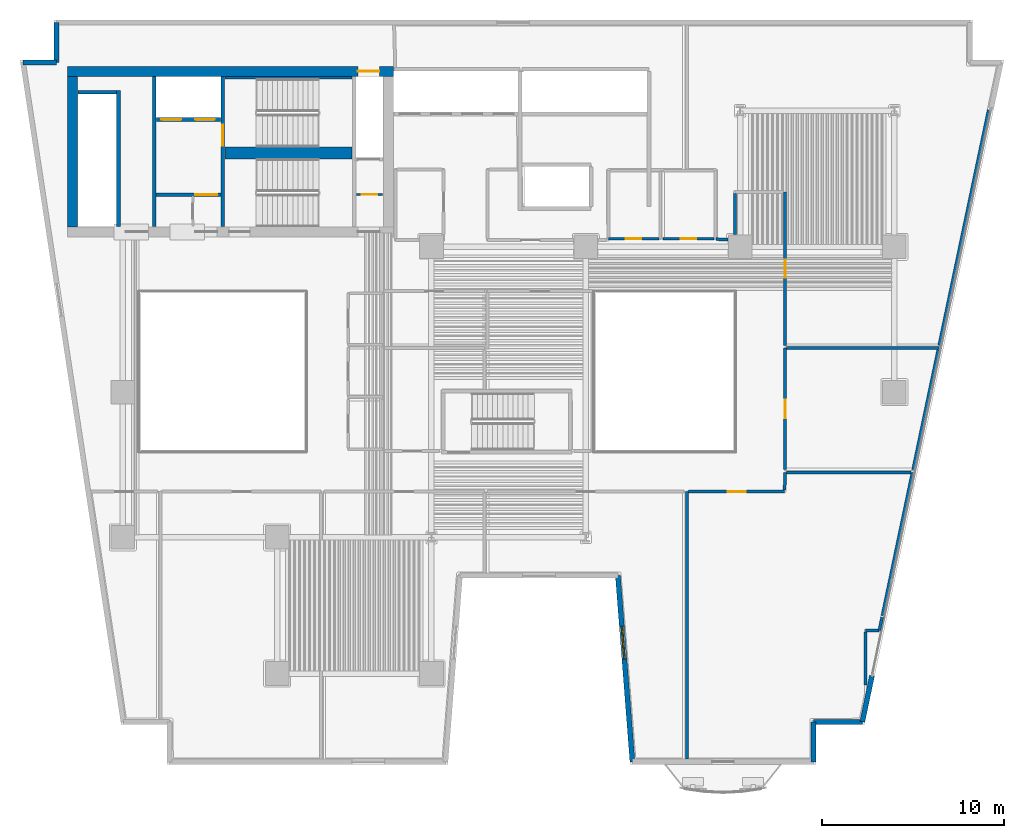
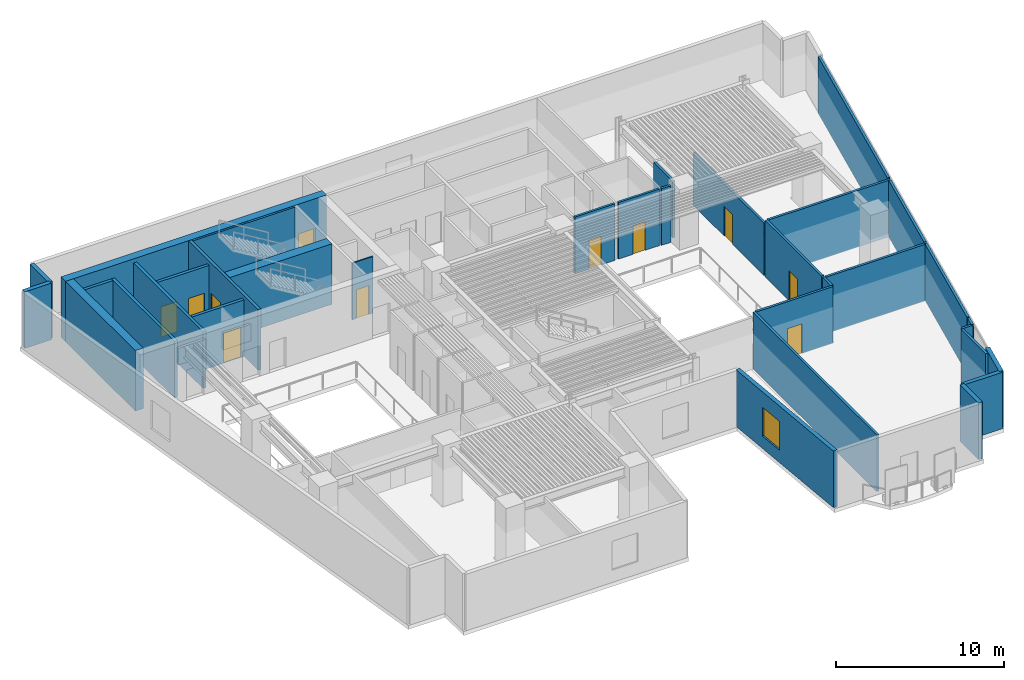
# One storey, part 5 of 12: 34 walls, 11 doors, 1 window, 12 openings.
"""IFC4 building model written with IfcOpenShell, lengths in metres."""

from ifc_helpers import new_model, si_unit, direction, frame, frame_2d, origin, place, context, subcontext, project, spatial, rectangle, extrude, material, layer, layer_set, type_object, element, fill, save


model = new_model("IFC4")

# Units and contexts
model_context = context("Model", 3, precision=1e-05, world=origin(), true_north=direction((0.0, 1.0)))
body_context = subcontext(model_context, "Body", "Model", "MODEL_VIEW")
ifc_project = project(units=[si_unit("LENGTHUNIT", "METRE"), si_unit("AREAUNIT", "SQUARE_METRE"), si_unit("VOLUMEUNIT", "CUBIC_METRE"), si_unit("PLANEANGLEUNIT", "RADIAN"), si_unit("MASSUNIT", "GRAM", prefix="KILO")], contexts=[model_context])

# Site, building, storey
site_placement = place(None, origin())
site = spatial("IfcSite", under=ifc_project, at=site_placement, CompositionType="ELEMENT")
building_placement = place(site_placement, origin())
building = spatial("IfcBuilding", under=site, at=building_placement, Name="Caeloran Harvest Quay", CompositionType="ELEMENT")
storey_placement = place(building_placement, frame((0.0, 0.0, 84.199951171875)))
storey = spatial("IfcBuildingStorey", under=building, at=storey_placement, Name="L19", CompositionType="ELEMENT", Elevation=84.199951171875)

# Walls
ifc_material_1 = material(Name="Precast concrete C50/60", Category="concrete")
ifc_layer_1 = layer(ifc_material_1, 0.280029296875, Name="Precast concrete C50/60")
ifc_layer_set_1 = layer_set([ifc_layer_1], Name="Precast concrete C50/60")
wall_type_1 = type_object("IfcWallType", Name="ENV-WALL-EW-280", PredefinedType="STANDARD", material=ifc_layer_set_1)
wall_1_placement = place(storey_placement, frame((2.99755859375, 41.159912109375, 0.0), z_axis=(0.0, 0.0, 1.0), x_axis=(1.0, 0.0, 0.0)))
element("IfcWall", 1, at=wall_1_placement, inside=storey, type_object=wall_type_1, Name="L19 Exterior Precast Concrete Facade Wall 4", PredefinedType="STANDARD", context=body_context, shape_type="SweptSolid", body=[
    extrude(rectangle(XDim=1.842529296875, YDim=0.280029296875, at=frame_2d((0.92138671875, 0.0))), origin(), (0.0, 0.0, 1.0), 4.114990234375),
])
wall_2_placement = place(storey_placement, frame((4.840087890625, 41.159912109375, 0.0), z_axis=(0.0, 0.0, 1.0), x_axis=(0.0, 1.0, 0.0)))
element("IfcWall", 2, at=wall_2_placement, inside=storey, type_object=wall_type_1, Name="L19 Exterior Precast Concrete Facade Wall 5", PredefinedType="STANDARD", context=body_context, shape_type="SweptSolid", body=[
    extrude(rectangle(XDim=2.2001953125, YDim=0.280029296875, at=frame_2d((1.10009765625, 0.0))), origin(), (0.0, 0.0, 1.0), 4.114990234375),
])
wall_3_placement = place(storey_placement, frame((49.77001953125, 7.384521484375, 0.0), z_axis=(0.0, 0.0, 1.0), x_axis=(-0.205551409765, -0.978646319128, 0.0)))
element("IfcWall", 3, at=wall_3_placement, inside=storey, type_object=wall_type_1, Name="L19 Exterior Facade Corner Pier Wall 9B", PredefinedType="STANDARD", context=body_context, shape_type="SweptSolid", body=[
    extrude(rectangle(XDim=2.599853515625, YDim=0.280029296875, at=frame_2d((1.2998046875, 0.0))), origin(), (0.0, 0.0, 1.0), 4.114990234375),
])
wall_4_placement = place(storey_placement, frame((49.235595703125, 4.840087890625, 0.0), z_axis=(0.0, 0.0, 1.0), x_axis=(-1.0, 0.0, 0.0)))
element("IfcWall", 4, at=wall_4_placement, inside=storey, type_object=wall_type_1, Name="L19 Exterior Precast Concrete Facade Wall 10", PredefinedType="STANDARD", context=body_context, shape_type="SweptSolid", body=[
    extrude(rectangle(XDim=2.6884765625, YDim=0.280029296875, at=frame_2d((1.34423828125, 0.0))), origin(), (0.0, 0.0, 1.0), 4.114990234375),
])
wall_5_placement = place(storey_placement, frame((46.547119140625, 4.840087890625, 0.0), z_axis=(0.0, 0.0, 1.0), x_axis=(0.0, -1.0, 0.0)))
element("IfcWall", 5, at=wall_5_placement, inside=storey, type_object=wall_type_1, Name="L19 Exterior Precast Concrete Facade Wall 11", PredefinedType="STANDARD", context=body_context, shape_type="SweptSolid", body=[
    extrude(rectangle(XDim=2.2001953125, YDim=0.280029296875, at=frame_2d((1.10009765625, 0.0))), origin(), (0.0, 0.0, 1.0), 4.114990234375),
])

# Wall, opening, window
wall_6_placement = place(storey_placement, frame((36.570068359375, 2.639892578125, 0.0), z_axis=(0.0, 0.0, 1.0), x_axis=(-0.077816860153, 0.996967670627, 0.0)))
wall_6 = element("IfcWall", 6, at=wall_6_placement, inside=storey, type_object=wall_type_1, Name="L19 Exterior Precast Concrete Facade Wall 13", PredefinedType="STANDARD", context=body_context, shape_type="SweptSolid", body=[
    extrude(rectangle(XDim=10.28125, YDim=0.280029296875, at=frame_2d((5.140625, 0.0))), origin(), (0.0, 0.0, 1.0), 4.114990234375),
])
opening_1_placement = place(wall_6_placement, frame((5.679931640625, 0.0, 0.89990234375)))
opening_1 = element("IfcOpeningElement", 7, at=opening_1_placement, cuts=wall_6, Name="Opening W-01", PredefinedType="OPENING", context=body_context, shape_type="SweptSolid", body=[
    extrude(rectangle(XDim=1.800048828125, YDim=2.10009765625, at=frame_2d((0.89990234375, 1.050048828125))), frame((0.0, 0.14990234375, 0.0), z_axis=(0.0, -1.0, 0.0), x_axis=(1.0, 0.0, 0.0)), (0.0, 0.0, 1.0), 0.300048828125),
])
ifc_material_2 = material(Name="Aluminium-Framed Low-E Laminated Glass", Category="aluminium")
window_type = type_object("IfcWindowType", Name="WIN-W-01", PartitioningType="SINGLE_PANEL", PredefinedType="WINDOW", material=ifc_material_2)
window_placement = place(opening_1_placement, origin())
window = element("IfcWindow", 8, at=window_placement, inside=storey, type_object=window_type, Name="L19 Facade Punched Window W-01", OverallHeight=2.10009765625, OverallWidth=1.800048828125, PartitioningType="SINGLE_PANEL", PredefinedType="WINDOW", context=body_context, shape_type="SweptSolid", body=[
    extrude(rectangle(XDim=1.800048828125, YDim=2.10009765625, at=frame_2d((0.89990234375, 1.050048828125))), frame((0.0, 0.030029296875, 0.0), z_axis=(0.0, -1.0, 0.0), x_axis=(1.0, 0.0, 0.0)), (0.0, 0.0, 1.0), 0.06005859375),
])
fill(opening_1, window)

# Wall, opening, door
ifc_material_3 = material(Name="Fire-Resisting Gypsum Core Riser Partition", Category="gypsum")
ifc_layer_2 = layer(ifc_material_3, 0.10009765625, Name="Fire-Resisting Gypsum Core Riser Partition")
ifc_layer_set_2 = layer_set([ifc_layer_2], Name="Fire-Resisting Gypsum Core Riser Partition")
wall_type_2 = type_object("IfcWallType", Name="INT-WALL-PW-100", PredefinedType="PARTITIONING", material=ifc_layer_set_2)
wall_7_placement = place(storey_placement, frame((21.3798828125, 33.889892578125, 0.0), z_axis=(0.0, 0.0, 1.0), x_axis=(1.0, 0.0, 0.0)))
wall_7 = element("IfcWall", 9, at=wall_7_placement, inside=storey, type_object=wall_type_2, Name="L19 Cleaner Store Partition Wall", PredefinedType="PARTITIONING", context=body_context, shape_type="SweptSolid", body=[
    extrude(rectangle(XDim=1.420166015625, YDim=0.10009765625, at=frame_2d((0.7099609375, 0.0))), origin(), (0.0, 0.0, 1.0), 4.114990234375),
])
opening_2_placement = place(wall_7_placement, frame((0.280029296875, 0.0, 0.0)))
opening_2 = element("IfcOpeningElement", 10, at=opening_2_placement, cuts=wall_7, Name="Opening SV-01", PredefinedType="OPENING", context=body_context, shape_type="SweptSolid", body=[
    extrude(rectangle(XDim=0.85009765625, YDim=2.10009765625, at=frame_2d((0.425048828125, 1.050048828125))), frame((0.0, 0.06005859375, 0.0), z_axis=(0.0, -1.0, 0.0), x_axis=(1.0, 0.0, 0.0)), (0.0, 0.0, 1.0), 0.1201171875),
])
ifc_material_4 = material(Name="Galvanized Painted Steel", Category="steel")
door_type_1 = type_object("IfcDoorType", Name="INTDOOR-SV-01", OperationType="NOTDEFINED", PredefinedType="DOOR", material=ifc_material_4)
door_1_placement = place(opening_2_placement, origin())
door_1 = element("IfcDoor", 11, at=door_1_placement, inside=storey, type_object=door_type_1, Name="L19 Cleaner Supply Store Access Door", OperationType="SINGLE_SWING_RIGHT", OverallHeight=2.10009765625, OverallWidth=0.85009765625, PredefinedType="DOOR", context=body_context, shape_type="SweptSolid", body=[
    extrude(rectangle(XDim=0.85009765625, YDim=2.10009765625, at=frame_2d((0.425048828125, 1.050048828125))), frame((0.0, 0.02490234375, 0.0), z_axis=(0.0, -1.0, 0.0), x_axis=(1.0, 0.0, 0.0)), (0.0, 0.0, 1.0), 0.050048828125),
])
fill(opening_2, door_1)

ifc_material_5 = material(Name="Autoclaved Aerated Concrete Blockwork and Plasterboard", Category="masonry")
ifc_layer_3 = layer(ifc_material_5, 0.14990234375, Name="Autoclaved Aerated Concrete Blockwork and Plasterboard")
ifc_layer_set_3 = layer_set([ifc_layer_3], Name="Autoclaved Aerated Concrete Blockwork and Plasterboard")
wall_type_3 = type_object("IfcWallType", Name="INT-WALL-PW-150", PredefinedType="PARTITIONING", material=ifc_layer_set_3)
wall_8_placement = place(storey_placement, frame((38.02001953125, 31.449951171875, 0.0), z_axis=(0.0, 0.0, 1.0), x_axis=(-1.0, 0.0, 0.0)))
wall_8 = element("IfcWall", 12, at=wall_8_placement, inside=storey, type_object=wall_type_3, Name="L19 Core Telemetry West Room Partition Wall", PredefinedType="PARTITIONING", context=body_context, shape_type="SweptSolid", body=[
    extrude(rectangle(XDim=2.77001953125, YDim=0.14990234375, at=frame_2d((1.385009765625, 0.0))), origin(), (0.0, 0.0, 1.0), 4.114990234375),
])
opening_3_placement = place(wall_8_placement, frame((0.9599609375, 0.0, 0.0)))
opening_3 = element("IfcOpeningElement", 13, at=opening_3_placement, cuts=wall_8, Name="Opening SV-01", PredefinedType="OPENING", context=body_context, shape_type="SweptSolid", body=[
    extrude(rectangle(XDim=0.85009765625, YDim=2.10009765625, at=frame_2d((0.425048828125, 1.050048828125))), frame((0.0, 0.0849609375, 0.0), z_axis=(0.0, -1.0, 0.0), x_axis=(1.0, 0.0, 0.0)), (0.0, 0.0, 1.0), 0.169921875),
])
door_2_placement = place(opening_3_placement, origin())
door_2 = element("IfcDoor", 14, at=door_2_placement, inside=storey, type_object=door_type_1, Name="L19 Core Telemetry West Room Access Door", OperationType="SINGLE_SWING_RIGHT", OverallHeight=2.10009765625, OverallWidth=0.85009765625, PredefinedType="DOOR", context=body_context, shape_type="SweptSolid", body=[
    extrude(rectangle(XDim=0.85009765625, YDim=2.10009765625, at=frame_2d((0.425048828125, 1.050048828125))), frame((0.0, 0.02490234375, 0.0), z_axis=(0.0, -1.0, 0.0), x_axis=(1.0, 0.0, 0.0)), (0.0, 0.0, 1.0), 0.050048828125),
])
fill(opening_3, door_2)

wall_9_placement = place(storey_placement, frame((41.070068359375, 31.449951171875, 0.0), z_axis=(0.0, 0.0, 1.0), x_axis=(-1.0, 0.0, 0.0)))
wall_9 = element("IfcWall", 15, at=wall_9_placement, inside=storey, type_object=wall_type_3, Name="L19 Core Metering East Room Partition Wall", PredefinedType="PARTITIONING", context=body_context, shape_type="SweptSolid", body=[
    extrude(rectangle(XDim=2.820068359375, YDim=0.14990234375, at=frame_2d((1.41015625, 0.0))), origin(), (0.0, 0.0, 1.0), 4.114990234375),
])
opening_4_placement = place(wall_9_placement, frame((0.985107421875, 0.0, 0.0)))
opening_4 = element("IfcOpeningElement", 16, at=opening_4_placement, cuts=wall_9, Name="Opening SV-01", PredefinedType="OPENING", context=body_context, shape_type="SweptSolid", body=[
    extrude(rectangle(XDim=0.85009765625, YDim=2.10009765625, at=frame_2d((0.425048828125, 1.050048828125))), frame((0.0, 0.0849609375, 0.0), z_axis=(0.0, -1.0, 0.0), x_axis=(1.0, 0.0, 0.0)), (0.0, 0.0, 1.0), 0.169921875),
])
door_3_placement = place(opening_4_placement, origin())
door_3 = element("IfcDoor", 17, at=door_3_placement, inside=storey, type_object=door_type_1, Name="L19 Core Metering East Room Access Door", OperationType="SINGLE_SWING_LEFT", OverallHeight=2.10009765625, OverallWidth=0.85009765625, PredefinedType="DOOR", context=body_context, shape_type="SweptSolid", body=[
    extrude(rectangle(XDim=0.85009765625, YDim=2.10009765625, at=frame_2d((0.425048828125, 1.050048828125))), frame((0.0, 0.02490234375, 0.0), z_axis=(0.0, -1.0, 0.0), x_axis=(1.0, 0.0, 0.0)), (0.0, 0.0, 1.0), 0.050048828125),
])
fill(opening_4, door_3)

# Walls
ifc_material_6 = material(Name="Autoclaved Aerated Concrete Blockwork", Category="masonry")
ifc_layer_4 = layer(ifc_material_6, 0.1650390625, Name="Autoclaved Aerated Concrete Blockwork")
ifc_layer_set_4 = layer_set([ifc_layer_4], Name="Autoclaved Aerated Concrete Blockwork")
wall_type_4 = type_object("IfcWallType", Name="INT-WALL-PW-165", PredefinedType="PARTITIONING", material=ifc_layer_set_4)
wall_10_placement = place(storey_placement, frame((51.9970703125, 18.570068359375, 0.0), z_axis=(0.0, 0.0, 1.0), x_axis=(-0.205584289858, -0.978639412533, 0.0)))
element("IfcWall", 18, at=wall_10_placement, inside=storey, type_object=wall_type_4, Name="Sensory Fermentation Kitchen Partition Wall", PredefinedType="PARTITIONING", context=body_context, shape_type="SweptSolid", body=[
    extrude(rectangle(XDim=8.05517578125, YDim=0.1650390625, at=frame_2d((4.027587890625, 0.0))), origin(), (0.0, 0.0, 1.0), 4.114990234375),
])
wall_11_placement = place(storey_placement, frame((50.321533203125, 10.594482421875, 0.0), z_axis=(0.0, 0.0, 1.0), x_axis=(-0.204661980979, -0.978832709681, 0.0)))
element("IfcWall", 19, at=wall_11_placement, inside=storey, type_object=wall_type_4, Name="Sensory Fermentation Kitchen Partition Wall", PredefinedType="PARTITIONING", context=body_context, shape_type="SweptSolid", body=[
    extrude(rectangle(XDim=0.72998046875, YDim=0.1650390625, at=frame_2d((0.364990234375, 0.0))), origin(), (0.0, 0.0, 1.0), 4.114990234375),
])
wall_12_placement = place(storey_placement, frame((50.147705078125, 9.8798828125, 0.0), z_axis=(0.0, 0.0, 1.0), x_axis=(-1.0, 0.0, 0.0)))
element("IfcWall", 20, at=wall_12_placement, inside=storey, type_object=wall_type_4, Name="Sensory Fermentation Kitchen Partition Wall", PredefinedType="PARTITIONING", context=body_context, shape_type="SweptSolid", body=[
    extrude(rectangle(XDim=0.727783203125, YDim=0.1650390625, at=frame_2d((0.36376953125, 0.0))), origin(), (0.0, 0.0, 1.0), 4.114990234375),
])
wall_13_placement = place(storey_placement, frame((49.419921875, 9.79248046875, 0.0), z_axis=(0.0, 0.0, 1.0), x_axis=(0.0, -1.0, 0.0)))
element("IfcWall", 21, at=wall_13_placement, inside=storey, type_object=wall_type_4, Name="Sensory Fermentation Kitchen Partition Wall", PredefinedType="PARTITIONING", context=body_context, shape_type="SweptSolid", body=[
    extrude(rectangle(XDim=2.93408203125, YDim=0.1650390625, at=frame_2d((1.467041015625, 0.0))), origin(), (0.0, 0.0, 1.0), 4.114990234375),
])
wall_14_placement = place(storey_placement, frame((39.580078125, 2.784912109375, 0.0), z_axis=(0.0, 0.0, 1.0), x_axis=(0.0, 1.0, 0.0)))
element("IfcWall", 22, at=wall_14_placement, inside=storey, type_object=wall_type_4, Name="Sensory Fermentation Kitchen Partition Wall", PredefinedType="PARTITIONING", context=body_context, shape_type="SweptSolid", body=[
    extrude(rectangle(XDim=14.735107421875, YDim=0.1650390625, at=frame_2d((7.36767578125, 0.0))), origin(), (0.0, 0.0, 1.0), 4.114990234375),
])

# Wall, opening, door
wall_15_placement = place(storey_placement, frame((39.66748046875, 17.52001953125, 0.0), z_axis=(0.0, 0.0, 1.0), x_axis=(1.0, 0.0, 0.0)))
wall_15 = element("IfcWall", 23, at=wall_15_placement, inside=storey, type_object=wall_type_4, Name="Sensory Fermentation Kitchen Partition Wall", PredefinedType="PARTITIONING", context=body_context, shape_type="SweptSolid", body=[
    extrude(rectangle(XDim=5.282470703125, YDim=0.1650390625, at=frame_2d((2.64111328125, 0.0))), origin(), (0.0, 0.0, 1.0), 4.114990234375),
])
opening_5_placement = place(wall_15_placement, frame((2.141357421875, 0.0, 0.0)))
opening_5 = element("IfcOpeningElement", 24, at=opening_5_placement, cuts=wall_15, Name="Opening ID-01", PredefinedType="OPENING", context=body_context, shape_type="SweptSolid", body=[
    extrude(rectangle(XDim=1.0, YDim=2.14990234375, at=frame_2d((0.5, 1.074951171875))), frame((0.0, 0.092529296875, 0.0), z_axis=(0.0, -1.0, 0.0), x_axis=(1.0, 0.0, 0.0)), (0.0, 0.0, 1.0), 0.18505859375),
])
ifc_material_7 = material(Name="FSC Solid-Core Ash Timber and Acoustic Seal", Category="wood")
door_type_2 = type_object("IfcDoorType", Name="INTDOOR-ID-01", OperationType="NOTDEFINED", PredefinedType="DOOR", material=ifc_material_7)
door_4_placement = place(opening_5_placement, origin())
door_4 = element("IfcDoor", 25, at=door_4_placement, inside=storey, type_object=door_type_2, Name="Sensory Fermentation Kitchen Access Door", OperationType="SINGLE_SWING_LEFT", OverallHeight=2.14990234375, OverallWidth=1.0, PredefinedType="DOOR", context=body_context, shape_type="SweptSolid", body=[
    extrude(rectangle(XDim=1.0, YDim=2.14990234375, at=frame_2d((0.5, 1.074951171875))), frame((0.0, 0.02490234375, 0.0), z_axis=(0.0, -1.0, 0.0), x_axis=(1.0, 0.0, 0.0)), (0.0, 0.0, 1.0), 0.050048828125),
])
fill(opening_5, door_4)

# Walls
wall_16_placement = place(storey_placement, frame((44.952392578125, 17.606689453125, 0.0), z_axis=(0.0, 0.0, 1.0), x_axis=(0.028624859452, 0.999590224753, 0.0)))
element("IfcWall", 26, at=wall_16_placement, inside=storey, type_object=wall_type_4, Name="Sensory Fermentation Kitchen Partition Wall", PredefinedType="PARTITIONING", context=body_context, shape_type="SweptSolid", body=[
    extrude(rectangle(XDim=0.9638671875, YDim=0.1650390625, at=frame_2d((0.48193359375, 0.0))), origin(), (0.0, 0.0, 1.0), 4.114990234375),
])
wall_17_placement = place(storey_placement, frame((45.06689453125, 18.570068359375, 0.0), z_axis=(0.0, 0.0, 1.0), x_axis=(1.0, 0.0, 0.0)))
element("IfcWall", 27, at=wall_17_placement, inside=storey, type_object=wall_type_4, Name="Sensory Fermentation Kitchen Partition Wall", PredefinedType="PARTITIONING", context=body_context, shape_type="SweptSolid", body=[
    extrude(rectangle(XDim=6.8408203125, YDim=0.1650390625, at=frame_2d((3.42041015625, 0.0))), origin(), (0.0, 0.0, 1.0), 4.114990234375),
])

# Wall, opening, door
wall_18_placement = place(storey_placement, frame((44.97998046875, 18.72998046875, 0.0), z_axis=(0.0, 0.0, 1.0), x_axis=(0.0, 1.0, 0.0)))
wall_18 = element("IfcWall", 28, at=wall_18_placement, inside=storey, type_object=wall_type_4, Name="Chef Development Kitchen Partition Wall", PredefinedType="PARTITIONING", context=body_context, shape_type="SweptSolid", body=[
    extrude(rectangle(XDim=6.68994140625, YDim=0.1650390625, at=frame_2d((3.344970703125, 0.0))), origin(), (0.0, 0.0, 1.0), 4.114990234375),
])
opening_6_placement = place(wall_18_placement, frame((2.844970703125, 0.0, 0.0)))
opening_6 = element("IfcOpeningElement", 29, at=opening_6_placement, cuts=wall_18, Name="Opening ID-01", PredefinedType="OPENING", context=body_context, shape_type="SweptSolid", body=[
    extrude(rectangle(XDim=1.0, YDim=2.14990234375, at=frame_2d((0.5, 1.074951171875))), frame((0.0, 0.092529296875, 0.0), z_axis=(0.0, -1.0, 0.0), x_axis=(1.0, 0.0, 0.0)), (0.0, 0.0, 1.0), 0.18505859375),
])
door_5_placement = place(opening_6_placement, origin())
door_5 = element("IfcDoor", 30, at=door_5_placement, inside=storey, type_object=door_type_2, Name="Chef Development Kitchen Access Door", OperationType="SINGLE_SWING_RIGHT", OverallHeight=2.14990234375, OverallWidth=1.0, PredefinedType="DOOR", context=body_context, shape_type="SweptSolid", body=[
    extrude(rectangle(XDim=1.0, YDim=2.14990234375, at=frame_2d((0.5, 1.074951171875))), frame((0.0, 0.02490234375, 0.0), z_axis=(0.0, -1.0, 0.0), x_axis=(1.0, 0.0, 0.0)), (0.0, 0.0, 1.0), 0.050048828125),
])
fill(opening_6, door_5)

# Walls
wall_19_placement = place(storey_placement, frame((45.0673828125, 25.419921875, 0.0), z_axis=(0.0, 0.0, 1.0), x_axis=(1.0, 0.0, 0.0)))
element("IfcWall", 31, at=wall_19_placement, inside=storey, type_object=wall_type_4, Name="Chef Development Kitchen Partition Wall", PredefinedType="PARTITIONING", context=body_context, shape_type="SweptSolid", body=[
    extrude(rectangle(XDim=8.384033203125, YDim=0.1650390625, at=frame_2d((4.19189453125, 0.0))), origin(), (0.0, 0.0, 1.0), 4.114990234375),
])
wall_20_placement = place(storey_placement, frame((53.41748046875, 25.33251953125, 0.0), z_axis=(0.0, 0.0, 1.0), x_axis=(-0.205508916106, -0.978655243383, 0.0)))
element("IfcWall", 32, at=wall_20_placement, inside=storey, type_object=wall_type_4, Name="Chef Development Kitchen Partition Wall", PredefinedType="PARTITIONING", context=body_context, shape_type="SweptSolid", body=[
    extrude(rectangle(XDim=6.74658203125, YDim=0.1650390625, at=frame_2d((3.373291015625, 0.0))), origin(), (0.0, 0.0, 1.0), 4.114990234375),
])
wall_21_placement = place(storey_placement, frame((56.1943359375, 38.547607421875, 0.0), z_axis=(0.0, 0.0, 1.0), x_axis=(-0.205602819639, -0.978635519771, 0.0)))
element("IfcWall", 33, at=wall_21_placement, inside=storey, type_object=wall_type_4, Name="Gastronomy Seminar Room 11 Partition Wall", PredefinedType="PARTITIONING", context=body_context, shape_type="SweptSolid", body=[
    extrude(rectangle(XDim=13.250732421875, YDim=0.1650390625, at=frame_2d((6.62548828125, 0.0))), origin(), (0.0, 0.0, 1.0), 4.114990234375),
])

# Wall, opening, door
wall_22_placement = place(storey_placement, frame((44.97998046875, 25.580078125, 0.0), z_axis=(0.0, 0.0, 1.0), x_axis=(0.0, 1.0, 0.0)))
wall_22 = element("IfcWall", 34, at=wall_22_placement, inside=storey, type_object=wall_type_4, Name="Gastronomy Seminar Room 11 Partition Wall", PredefinedType="PARTITIONING", context=body_context, shape_type="SweptSolid", body=[
    extrude(rectangle(XDim=8.449951171875, YDim=0.1650390625, at=frame_2d((4.22509765625, 0.0))), origin(), (0.0, 0.0, 1.0), 3.800048828125),
])
opening_7_placement = place(wall_22_placement, frame((3.72509765625, 0.0, 0.0)))
opening_7 = element("IfcOpeningElement", 35, at=opening_7_placement, cuts=wall_22, Name="Opening ID-01", PredefinedType="OPENING", context=body_context, shape_type="SweptSolid", body=[
    extrude(rectangle(XDim=1.0, YDim=2.14990234375, at=frame_2d((0.5, 1.074951171875))), frame((0.0, 0.092529296875, 0.0), z_axis=(0.0, -1.0, 0.0), x_axis=(1.0, 0.0, 0.0)), (0.0, 0.0, 1.0), 0.18505859375),
])
door_6_placement = place(opening_7_placement, origin())
door_6 = element("IfcDoor", 36, at=door_6_placement, inside=storey, type_object=door_type_2, Name="Gastronomy Seminar Room 11 Access Door", OperationType="SINGLE_SWING_RIGHT", OverallHeight=2.14990234375, OverallWidth=1.0, PredefinedType="DOOR", context=body_context, shape_type="SweptSolid", body=[
    extrude(rectangle(XDim=1.0, YDim=2.14990234375, at=frame_2d((0.5, 1.074951171875))), frame((0.0, 0.02490234375, 0.0), z_axis=(0.0, -1.0, 0.0), x_axis=(1.0, 0.0, 0.0)), (0.0, 0.0, 1.0), 0.050048828125),
])
fill(opening_7, door_6)

# Walls
wall_23_placement = place(storey_placement, frame((42.219970703125, 33.9423828125, 0.0), z_axis=(0.0, 0.0, 1.0), x_axis=(0.0, -1.0, 0.0)))
element("IfcWall", 37, at=wall_23_placement, inside=storey, type_object=wall_type_4, Name="Gastronomy Seminar Room 11 Partition Wall", PredefinedType="PARTITIONING", context=body_context, shape_type="SweptSolid", body=[
    extrude(rectangle(XDim=2.267333984375, YDim=0.1650390625, at=frame_2d((1.1337890625, 0.0))), origin(), (0.0, 0.0, 1.0), 4.114990234375),
])
wall_24_placement = place(storey_placement, frame((41.824951171875, 31.3984375, 0.0), z_axis=(0.0, 0.0, 1.0), x_axis=(-0.998882632516, 0.04725977633, 0.0)))
element("IfcWall", 38, at=wall_24_placement, inside=storey, type_object=wall_type_4, Name="Gastronomy Seminar Room 11 Partition Wall", PredefinedType="PARTITIONING", context=body_context, shape_type="SweptSolid", body=[
    extrude(rectangle(XDim=0.645751953125, YDim=0.1650390625, at=frame_2d((0.32275390625, 0.0))), origin(), (0.0, 0.0, 1.0), 4.114990234375),
])
ifc_material_8 = material(Name="Concrete C50/60", Category="concrete")
ifc_layer_5 = layer(ifc_material_8, 0.199951171875, Name="Concrete C50/60")
ifc_layer_set_5 = layer_set([ifc_layer_5], Name="Concrete C50/60")
wall_type_5 = type_object("IfcWallType", Name="INT-WALL-SW-200", PredefinedType="PARTITIONING", material=ifc_layer_set_5)
wall_25_placement = place(storey_placement, frame((8.260009765625, 32.1201171875, 0.0), z_axis=(0.0, 0.0, 1.0), x_axis=(0.0, 1.0, 0.0)))
element("IfcWall", 39, at=wall_25_placement, inside=storey, type_object=wall_type_5, Name="L19 Bank 3 Lift Shaft Wall", PredefinedType="PARTITIONING", context=body_context, shape_type="SweptSolid", body=[
    extrude(rectangle(XDim=7.5, YDim=0.199951171875, at=frame_2d((3.75, 0.0))), origin(), (0.0, 0.0, 1.0), 4.114990234375),
])
wall_26_placement = place(storey_placement, frame((6.02001953125, 39.52001953125, 0.0), z_axis=(0.0, 0.0, 1.0), x_axis=(1.0, 0.0, 0.0)))
element("IfcWall", 40, at=wall_26_placement, inside=storey, type_object=wall_type_5, Name="L19 Bank 3 Lift Shaft North End Wall", PredefinedType="PARTITIONING", context=body_context, shape_type="SweptSolid", body=[
    extrude(rectangle(XDim=2.119873046875, YDim=0.199951171875, at=frame_2d((1.06005859375, 0.0))), origin(), (0.0, 0.0, 1.0), 4.114990234375),
])
wall_27_placement = place(storey_placement, frame((10.219970703125, 32.1201171875, 0.0), z_axis=(0.0, 0.0, 1.0), x_axis=(0.0, 1.0, 0.0)))
element("IfcWall", 41, at=wall_27_placement, inside=storey, type_object=wall_type_5, Name="L19 Core Lobby Compartment Wall", PredefinedType="PARTITIONING", context=body_context, shape_type="SweptSolid", body=[
    extrude(rectangle(XDim=8.259765625, YDim=0.199951171875, at=frame_2d((4.1298828125, 0.0))), origin(), (0.0, 0.0, 1.0), 4.114990234375),
])

# Wall, openings, doors
wall_28_placement = place(storey_placement, frame((10.340087890625, 38.02001953125, 0.0), z_axis=(0.0, 0.0, 1.0), x_axis=(1.0, 0.0, 0.0)))
wall_28 = element("IfcWall", 42, at=wall_28_placement, inside=storey, type_object=wall_type_5, Name="L19 Firefighting Lift Shaft Wall", PredefinedType="PARTITIONING", context=body_context, shape_type="SweptSolid", body=[
    extrude(rectangle(XDim=3.539794921875, YDim=0.199951171875, at=frame_2d((1.77001953125, 0.0))), origin(), (0.0, 0.0, 1.0), 4.114990234375),
])
opening_8_placement = place(wall_28_placement, frame((0.284912109375, 0.0, 0.0)))
opening_8 = element("IfcOpeningElement", 43, at=opening_8_placement, cuts=wall_28, Name="Opening LD-01", PredefinedType="OPENING", context=body_context, shape_type="SweptSolid", body=[
    extrude(rectangle(XDim=1.10009765625, YDim=2.199951171875, at=frame_2d((0.550048828125, 1.10009765625))), frame((0.0, 0.10986328125, 0.0), z_axis=(0.0, -1.0, 0.0), x_axis=(1.0, 0.0, 0.0)), (0.0, 0.0, 1.0), 0.219970703125),
])
opening_9_placement = place(wall_28_placement, frame((2.135009765625, 0.0, 0.0)))
opening_9 = element("IfcOpeningElement", 44, at=opening_9_placement, cuts=wall_28, Name="Opening LD-01", PredefinedType="OPENING", context=body_context, shape_type="SweptSolid", body=[
    extrude(rectangle(XDim=1.10009765625, YDim=2.199951171875, at=frame_2d((0.550048828125, 1.10009765625))), frame((0.0, 0.10986328125, 0.0), z_axis=(0.0, -1.0, 0.0), x_axis=(1.0, 0.0, 0.0)), (0.0, 0.0, 1.0), 0.219970703125),
])
ifc_material_9 = material(Name="Stainless Steel Grade 316", Category="steel")
door_type_3 = type_object("IfcDoorType", Name="INTDOOR-LD-01", OperationType="NOTDEFINED", PredefinedType="DOOR", material=ifc_material_9)
door_7_placement = place(opening_8_placement, origin())
door_7 = element("IfcDoor", 45, at=door_7_placement, inside=storey, type_object=door_type_3, Name="Lift FF-1 Sliding Landing Door (L19)", OperationType="DOUBLE_DOOR_SLIDING", OverallHeight=2.199951171875, OverallWidth=1.10009765625, PredefinedType="DOOR", context=body_context, shape_type="SweptSolid", body=[
    extrude(rectangle(XDim=1.10009765625, YDim=2.199951171875, at=frame_2d((0.550048828125, 1.10009765625))), frame((0.0, 0.02490234375, 0.0), z_axis=(0.0, -1.0, 0.0), x_axis=(1.0, 0.0, 0.0)), (0.0, 0.0, 1.0), 0.050048828125),
])
fill(opening_8, door_7)
door_8_placement = place(opening_9_placement, origin())
door_8 = element("IfcDoor", 46, at=door_8_placement, inside=storey, type_object=door_type_3, Name="Lift FF-2 Sliding Landing Door (L19)", OperationType="DOUBLE_DOOR_SLIDING", OverallHeight=2.199951171875, OverallWidth=1.10009765625, PredefinedType="DOOR", context=body_context, shape_type="SweptSolid", body=[
    extrude(rectangle(XDim=1.10009765625, YDim=2.199951171875, at=frame_2d((0.550048828125, 1.10009765625))), frame((0.0, 0.02490234375, 0.0), z_axis=(0.0, -1.0, 0.0), x_axis=(1.0, 0.0, 0.0)), (0.0, 0.0, 1.0), 0.050048828125),
])
fill(opening_9, door_8)

# Wall, opening, door
wall_29_placement = place(storey_placement, frame((10.340087890625, 33.8798828125, 0.0), z_axis=(0.0, 0.0, 1.0), x_axis=(1.0, 0.0, 0.0)))
wall_29 = element("IfcWall", 47, at=wall_29_placement, inside=storey, type_object=wall_type_5, Name="L19 Firefighting Lift Lobby Enclosure Wall", PredefinedType="PARTITIONING", context=body_context, shape_type="SweptSolid", body=[
    extrude(rectangle(XDim=3.559814453125, YDim=0.199951171875, at=frame_2d((1.77978515625, 0.0))), origin(), (0.0, 0.0, 1.0), 4.114990234375),
])
opening_10_placement = place(wall_29_placement, frame((2.14990234375, 0.0, 0.0)))
opening_10 = element("IfcOpeningElement", 48, at=opening_10_placement, cuts=wall_29, Name="Opening FD-01", PredefinedType="OPENING", context=body_context, shape_type="SweptSolid", body=[
    extrude(rectangle(XDim=1.199951171875, YDim=2.199951171875, at=frame_2d((0.60009765625, 1.10009765625))), frame((0.0, 0.10986328125, 0.0), z_axis=(0.0, -1.0, 0.0), x_axis=(1.0, 0.0, 0.0)), (0.0, 0.0, 1.0), 0.219970703125),
])
ifc_material_10 = material(Name="Steel", Category="steel")
door_type_4 = type_object("IfcDoorType", Name="INTDOOR-FD-01", OperationType="NOTDEFINED", PredefinedType="DOOR", material=ifc_material_10)
door_9_placement = place(opening_10_placement, origin())
door_9 = element("IfcDoor", 49, at=door_9_placement, inside=storey, type_object=door_type_4, Name="L19 Firefighting Lift Lobby Smoke-Seal Fire Door", OperationType="SINGLE_SWING_RIGHT", OverallHeight=2.199951171875, OverallWidth=1.199951171875, PredefinedType="DOOR", context=body_context, shape_type="SweptSolid", body=[
    extrude(rectangle(XDim=1.199951171875, YDim=2.199951171875, at=frame_2d((0.60009765625, 1.10009765625))), frame((0.0, 0.02490234375, 0.0), z_axis=(0.0, -1.0, 0.0), x_axis=(1.0, 0.0, 0.0)), (0.0, 0.0, 1.0), 0.050048828125),
])
fill(opening_10, door_9)

ifc_material_11 = material(Name="Concrete C80/95", Category="concrete")
ifc_layer_6 = layer(ifc_material_11, 0.550048828125, Name="Concrete C80/95")
ifc_layer_set_6 = layer_set([ifc_layer_6], Name="Concrete C80/95")
wall_type_6 = type_object("IfcWallType", Name="STR-WALL-CW-550", PredefinedType="SHEAR", material=ifc_layer_set_6)
wall_30_placement = place(storey_placement, frame((5.449951171875, 40.675048828125, 0.0), z_axis=(0.0, 0.0, 1.0), x_axis=(1.0, 0.0, 0.0)))
wall_30 = element("IfcWall", 50, at=wall_30_placement, inside=storey, type_object=wall_type_6, Name="L19 Rear Core Shear Wall N", PredefinedType="SHEAR", context=body_context, shape_type="SweptSolid", body=[
    extrude(rectangle(XDim=17.949951171875, YDim=0.550048828125, at=frame_2d((8.97509765625, 0.0))), origin(), (0.0, 0.0, 1.0), 4.400146484375),
])
opening_11_placement = place(wall_30_placement, frame((15.9951171875, 0.0, 0.0)))
opening_11 = element("IfcOpeningElement", 51, at=opening_11_placement, cuts=wall_30, Name="Opening LD-02", PredefinedType="OPENING", context=body_context, shape_type="SweptSolid", body=[
    extrude(rectangle(XDim=1.179931640625, YDim=2.25, at=frame_2d((0.58984375, 1.125))), frame((0.0, 0.28515625, 0.0), z_axis=(0.0, -1.0, 0.0), x_axis=(1.0, 0.0, 0.0)), (0.0, 0.0, 1.0), 0.570068359375),
])
door_type_5 = type_object("IfcDoorType", Name="INTDOOR-LD-02", OperationType="NOTDEFINED", PredefinedType="DOOR", material=ifc_material_9)
door_10_placement = place(opening_11_placement, origin())
door_10 = element("IfcDoor", 52, at=door_10_placement, inside=storey, type_object=door_type_5, Name="Lift SV-1 Sliding Landing Door (L19)", OperationType="DOUBLE_DOOR_SLIDING", OverallHeight=2.25, OverallWidth=1.179931640625, PredefinedType="DOOR", context=body_context, shape_type="SweptSolid", body=[
    extrude(rectangle(XDim=1.179931640625, YDim=2.25, at=frame_2d((0.58984375, 1.125))), frame((0.0, 0.02490234375, 0.0), z_axis=(0.0, -1.0, 0.0), x_axis=(1.0, 0.0, 0.0)), (0.0, 0.0, 1.0), 0.050048828125),
])
fill(opening_11, door_10)

# Walls
wall_31_placement = place(storey_placement, frame((5.72509765625, 32.10009765625, 0.0), z_axis=(0.0, 0.0, 1.0), x_axis=(0.0, 1.0, 0.0)))
element("IfcWall", 53, at=wall_31_placement, inside=storey, type_object=wall_type_6, Name="L19 Rear Core Shear Wall W", PredefinedType="SHEAR", context=body_context, shape_type="SweptSolid", body=[
    extrude(rectangle(XDim=8.2998046875, YDim=0.550048828125, at=frame_2d((4.14990234375, 0.0))), origin(), (0.0, 0.0, 1.0), 4.400146484375),
])
ifc_material_12 = material(Name="Concrete C60/75", Category="concrete")
ifc_layer_7 = layer(ifc_material_12, 0.64990234375, Name="Concrete C60/75")
ifc_layer_set_7 = layer_set([ifc_layer_7], Name="Concrete C60/75")
wall_type_7 = type_object("IfcWallType", Name="STR-WALL-CW-650", PredefinedType="SHEAR", material=ifc_layer_set_7)
wall_32_placement = place(storey_placement, frame((14.1201171875, 36.175048828125, 0.0), z_axis=(0.0, 0.0, 1.0), x_axis=(1.0, 0.0, 0.0)))
element("IfcWall", 54, at=wall_32_placement, inside=storey, type_object=wall_type_7, Name="L19 Core Stairs Dividing Shear Wall", PredefinedType="SHEAR", context=body_context, shape_type="SweptSolid", body=[
    extrude(rectangle(XDim=7.009765625, YDim=0.64990234375, at=frame_2d((3.5048828125, 0.0))), origin(), (0.0, 0.0, 1.0), 4.400146484375),
])
ifc_layer_8 = layer(ifc_material_12, 0.139892578125, Name="Concrete C60/75")
ifc_layer_set_8 = layer_set([ifc_layer_8], Name="Concrete C60/75")
wall_type_8 = type_object("IfcWallType", Name="STR-WALL-SW-140", PredefinedType="SHEAR", material=ifc_layer_set_8)
wall_33_placement = place(storey_placement, frame((14.1201171875, 40.320068359375, 0.0), z_axis=(0.0, 0.0, 1.0), x_axis=(1.0, 0.0, 0.0)))
element("IfcWall", 55, at=wall_33_placement, inside=storey, type_object=wall_type_8, Name="L19 Core Stair ST-C1 North Bearing Shear Wall", PredefinedType="SHEAR", context=body_context, shape_type="SweptSolid", body=[
    extrude(rectangle(XDim=7.009765625, YDim=0.139892578125, at=frame_2d((3.5048828125, 0.0))), origin(), (0.0, 0.0, 1.0), 4.400146484375),
])

# Wall, opening, door
ifc_layer_9 = layer(ifc_material_12, 0.199951171875, Name="Concrete C60/75")
ifc_layer_set_9 = layer_set([ifc_layer_9], Name="Concrete C60/75")
wall_type_9 = type_object("IfcWallType", Name="STR-WALL-SW-200", PredefinedType="SHEAR", material=ifc_layer_set_9)
wall_34_placement = place(storey_placement, frame((14.0, 32.1201171875, 0.0), z_axis=(0.0, 0.0, 1.0), x_axis=(0.0, 1.0, 0.0)))
wall_34 = element("IfcWall", 56, at=wall_34_placement, inside=storey, type_object=wall_type_9, Name="L19 Core Stair Shaft West Shear Wall", PredefinedType="SHEAR", context=body_context, shape_type="SweptSolid", body=[
    extrude(rectangle(XDim=8.259765625, YDim=0.199951171875, at=frame_2d((4.1298828125, 0.0))), origin(), (0.0, 0.0, 1.0), 4.400146484375),
])
opening_12_placement = place(wall_34_placement, frame((4.4599609375, 0.0, 0.0)))
opening_12 = element("IfcOpeningElement", 57, at=opening_12_placement, cuts=wall_34, Name="Opening SD-01", PredefinedType="OPENING", context=body_context, shape_type="SweptSolid", body=[
    extrude(rectangle(XDim=1.14990234375, YDim=2.199951171875, at=frame_2d((0.574951171875, 1.10009765625))), frame((0.0, 0.10986328125, 0.0), z_axis=(0.0, -1.0, 0.0), x_axis=(1.0, 0.0, 0.0)), (0.0, 0.0, 1.0), 0.219970703125),
])
door_type_6 = type_object("IfcDoorType", Name="INTDOOR-SD-01", OperationType="NOTDEFINED", PredefinedType="DOOR", material=ifc_material_10)
door_11_placement = place(opening_12_placement, origin())
door_11 = element("IfcDoor", 58, at=door_11_placement, inside=storey, type_object=door_type_6, Name="L19 Protected Stair ST-C1 Exit Door", OperationType="SINGLE_SWING_LEFT", OverallHeight=2.199951171875, OverallWidth=1.14990234375, PredefinedType="DOOR", context=body_context, shape_type="SweptSolid", body=[
    extrude(rectangle(XDim=1.14990234375, YDim=2.199951171875, at=frame_2d((0.574951171875, 1.10009765625))), frame((0.0, 0.02490234375, 0.0), z_axis=(0.0, -1.0, 0.0), x_axis=(1.0, 0.0, 0.0)), (0.0, 0.0, 1.0), 0.050048828125),
])
fill(opening_12, door_11)

save(model, "model.ifc")
